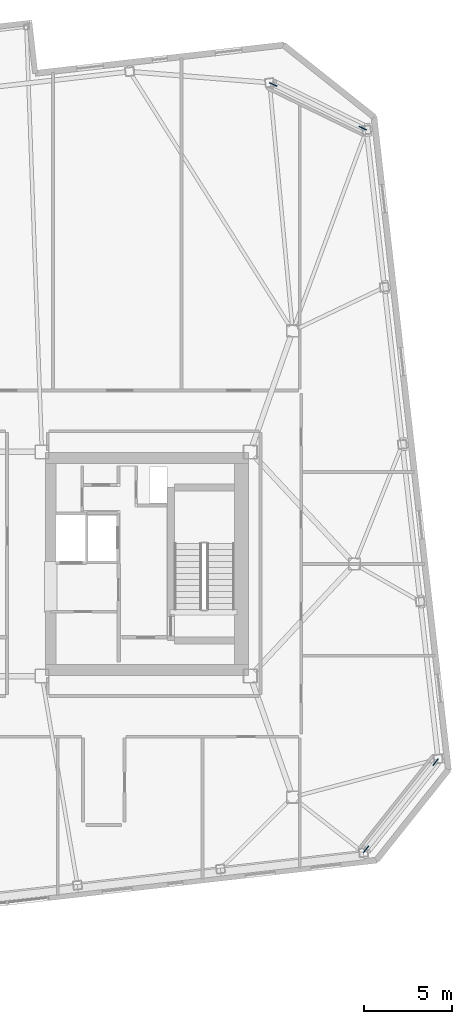
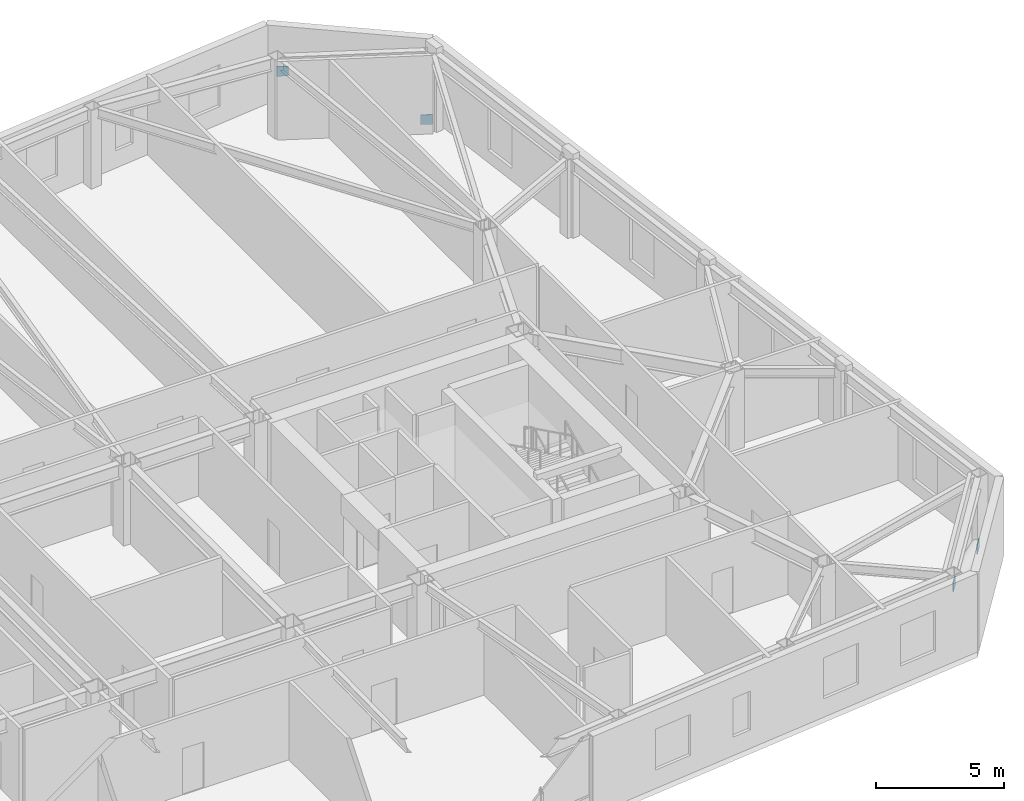
# One storey, part 20 of 21: 4 discrete accessories.
"""IFC4 building model written with IfcOpenShell, lengths in metres."""

from ifc_helpers import new_model, si_unit, direction, frame, origin, origin_2d, place, context, subcontext, project, spatial, rectangle, extrude, material, type_object, element, save


model = new_model("IFC4")

# Units and contexts
model_context = context("Model", 3, precision=1e-05, world=origin(), true_north=direction((0.0, 1.0)))
body_context = subcontext(model_context, "Body", "Model", "MODEL_VIEW")
ifc_project = project(units=[si_unit("LENGTHUNIT", "METRE"), si_unit("AREAUNIT", "SQUARE_METRE"), si_unit("VOLUMEUNIT", "CUBIC_METRE"), si_unit("PLANEANGLEUNIT", "RADIAN"), si_unit("MASSUNIT", "GRAM", prefix="KILO")], contexts=[model_context])

# Site, building, storey
site_placement = place(None, origin())
site = spatial("IfcSite", under=ifc_project, at=site_placement, CompositionType="ELEMENT")
building_placement = place(site_placement, origin())
building = spatial("IfcBuilding", under=site, at=building_placement, Name="Tavrogorsk Clinical Tower", CompositionType="ELEMENT")
storey_placement = place(building_placement, frame((0.0, 0.0, 247.0)))
storey = spatial("IfcBuildingStorey", under=building, at=storey_placement, Name="L57", CompositionType="ELEMENT", Elevation=247.0)

# Discrete accessories
ifc_material = material(Name="Structural steel S440", Category="steel")
discrete_accessory_type = type_object("IfcDiscreteAccessoryType", Name="GussetPlateBracket_25", PredefinedType="BRACKET", material=ifc_material)
for number, where, z_axis, x_axis, name in (
    (1, (32.5859375, -11.2197265625, 0.168212890625), (0.0, 0.0, 1.0), (-0.622514636638, -0.782608156852, 0.0), "L57 Brace Gusset Plate EXOCRN-L57-1-A"),
    (2, (28.6572265625, -16.15869140625, 2.761962890625), (0.0, 0.0, 1.0), (-0.622514636638, -0.782608156852, 0.0), "L57 Brace Gusset Plate EXOCRN-L57-1-B"),
    (3, (28.46630859375, 24.679443359375, 0.17724609375), (0.0, 0.0, 1.0), (-0.898794046299, 0.438371146789, 0.0), "L57 Brace Gusset Plate EXOCRN-L57-2-A"),
    (4, (23.399169921875, 27.150634765625, 2.7529296875), (0.0, 0.0, 1.0), (-0.898794046299, 0.438371146789, 0.0), "L57 Brace Gusset Plate EXOCRN-L57-2-B"),
):
    element("IfcDiscreteAccessory", number, at=place(storey_placement, frame(where, z_axis=z_axis, x_axis=x_axis)), inside=storey, type_object=discrete_accessory_type, Name=name, PredefinedType="BRACKET", context=body_context, shape_type="SweptSolid", body=[
        extrude(rectangle(XDim=0.4599609375, YDim=0.0400390625, at=origin_2d()), origin(), (0.0, 0.0, 1.0), 0.4599609375),
    ])

save(model, "model.ifc")
